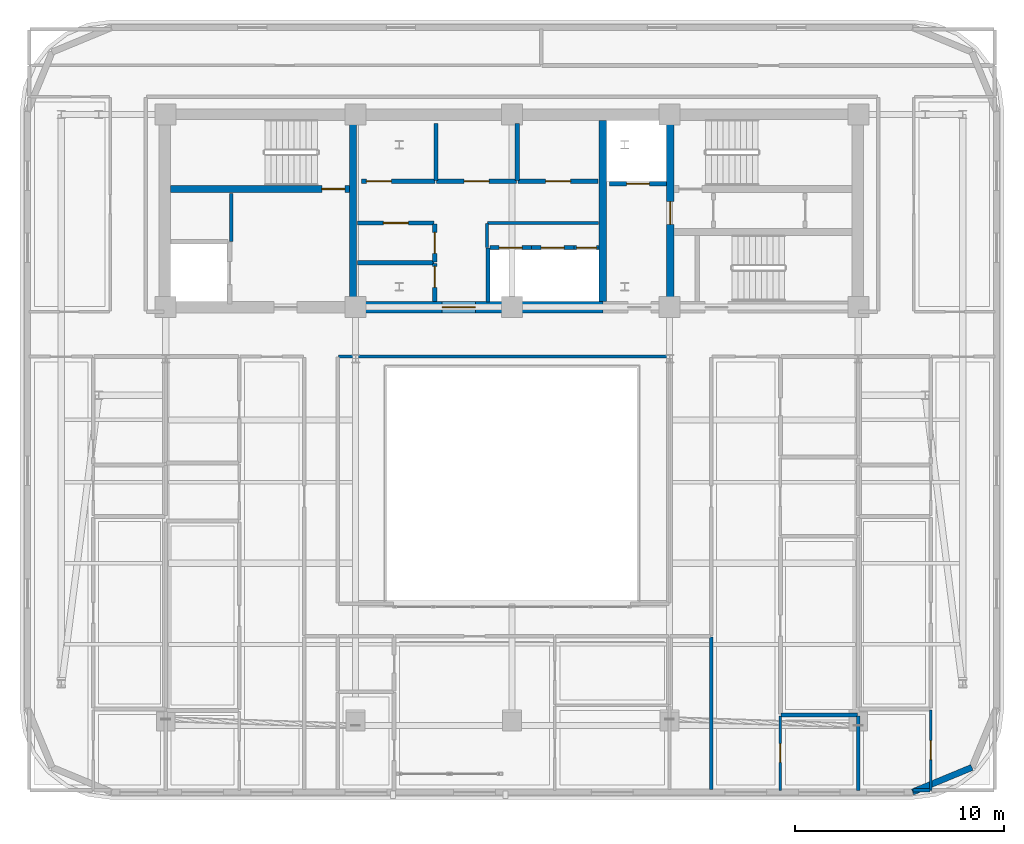
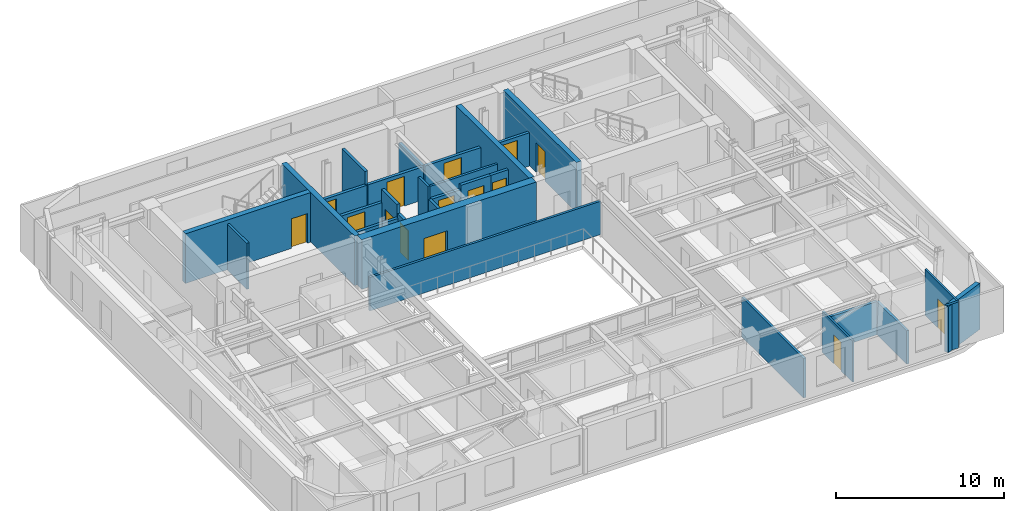
# One storey, part 8 of 15: 30 walls, 15 doors, 15 openings.
"""IFC4 building model written with IfcOpenShell, lengths in metres."""

from ifc_helpers import new_model, si_unit, direction, frame, frame_2d, origin, place, context, subcontext, project, spatial, rectangle, extrude, material, layer, layer_set, type_object, element, fill, save


model = new_model("IFC4")

# Units and contexts
model_context = context("Model", 3, precision=1e-05, world=origin(), true_north=direction((0.0, 1.0)))
body_context = subcontext(model_context, "Body", "Model", "MODEL_VIEW")
ifc_project = project(units=[si_unit("LENGTHUNIT", "METRE"), si_unit("AREAUNIT", "SQUARE_METRE"), si_unit("VOLUMEUNIT", "CUBIC_METRE"), si_unit("PLANEANGLEUNIT", "RADIAN"), si_unit("MASSUNIT", "GRAM", prefix="KILO")], contexts=[model_context])

# Site, building, storey
site_placement = place(None, origin())
site = spatial("IfcSite", under=ifc_project, at=site_placement, CompositionType="ELEMENT")
building_placement = place(site_placement, origin())
building = spatial("IfcBuilding", under=site, at=building_placement, Name="Zarnavel Station Tower", CompositionType="ELEMENT")
storey_placement = place(building_placement, frame((0.0, 0.0, 200.39990234375)))
storey = spatial("IfcBuildingStorey", under=building, at=storey_placement, Name="L54", CompositionType="ELEMENT", Elevation=200.39990234375)

# Walls
ifc_material_1 = material(Name="Concrete C50/60", Category="concrete")
ifc_layer_1 = layer(ifc_material_1, 0.35009765625)
ifc_layer_set_1 = layer_set([ifc_layer_1], Name="CW_350")
wall_type_1 = type_object("IfcWallType", Name="CW_350", PredefinedType="SHEAR", material=ifc_layer_set_1)
for number, where, z_axis, x_axis, name in (
    (1, (21.179931640625, 28.094970703125, 0.0), (0.0, 0.0, 1.0), (0.0, 1.0, 0.0), "L54 Rear Core Shear Wall DIV-W"),
    (2, (33.14990234375, 28.094970703125, 0.0), (0.0, 0.0, 1.0), (0.0, 1.0, 0.0), "L54 Rear Core Shear Wall DIV-E"),
):
    element("IfcWall", number, at=place(storey_placement, frame(where, z_axis=z_axis, x_axis=x_axis)), inside=storey, type_object=wall_type_1, Name=name, PredefinedType="SHEAR", context=body_context, shape_type="SweptSolid", body=[
        extrude(rectangle(XDim=8.679931640625, YDim=0.35009765625, at=frame_2d((4.33984375, 0.0))), origin(), (0.0, 0.0, 1.0), 3.60009765625),
    ])

# Wall, opening, door
wall_1_placement = place(storey_placement, frame((36.3798828125, 28.094970703125, 0.0), z_axis=(0.0, 0.0, 1.0), x_axis=(0.0, 1.0, 0.0)))
wall_1 = element("IfcWall", 3, at=wall_1_placement, inside=storey, type_object=wall_type_1, Name="L54 Rear Core Shear Wall DIV-S2", PredefinedType="SHEAR", context=body_context, shape_type="SweptSolid", body=[
    extrude(rectangle(XDim=8.679931640625, YDim=0.35009765625, at=frame_2d((4.33984375, 0.0))), origin(), (0.0, 0.0, 1.0), 3.60009765625),
])
opening_1_placement = place(wall_1_placement, frame((3.68505859375, 0.0, 0.0)))
opening_1 = element("IfcOpeningElement", 4, at=opening_1_placement, cuts=wall_1, Name="Opening FD01", PredefinedType="OPENING", context=body_context, shape_type="SweptSolid", body=[
    extrude(rectangle(XDim=1.10009765625, YDim=2.14990234375, at=frame_2d((0.550048828125, 1.074951171875))), frame((0.0, 0.18505859375, 0.0), z_axis=(0.0, -1.0, 0.0), x_axis=(1.0, 0.0, 0.0)), (0.0, 0.0, 1.0), 0.3701171875),
])
ifc_material_2 = material(Name="Painted Galvanised Steel and Hardwood Leaf", Category="steel")
door_type_1 = type_object("IfcDoorType", Name="ID_STAIR_1100", OperationType="NOTDEFINED", PredefinedType="DOOR", material=ifc_material_2)
door_1_placement = place(opening_1_placement, origin())
door_1 = element("IfcDoor", 5, at=door_1_placement, inside=storey, type_object=door_type_1, Name="L54 East Stair Vestibule Fire Door", OperationType="SINGLE_SWING_LEFT", OverallHeight=2.14990234375, OverallWidth=1.10009765625, PredefinedType="DOOR", context=body_context, shape_type="SweptSolid", body=[
    extrude(rectangle(XDim=1.10009765625, YDim=2.14990234375, at=frame_2d((0.550048828125, 1.074951171875))), frame((0.0, 0.02490234375, 0.0), z_axis=(0.0, -1.0, 0.0), x_axis=(1.0, 0.0, 0.0)), (0.0, 0.0, 1.0), 0.050048828125),
])
fill(opening_1, door_1)

wall_2_placement = place(storey_placement, frame((21.0048828125, 33.47998046875, 0.0), z_axis=(0.0, 0.0, 1.0), x_axis=(-1.0, 0.0, 0.0)))
wall_2 = element("IfcWall", 6, at=wall_2_placement, inside=storey, type_object=wall_type_1, Name="L54 Rear Core Shear Wall DIV-H1", PredefinedType="SHEAR", context=body_context, shape_type="SweptSolid", body=[
    extrude(rectangle(XDim=8.579833984375, YDim=0.35009765625, at=frame_2d((4.2900390625, 0.0))), origin(), (0.0, 0.0, 1.0), 3.60009765625),
])
opening_2_placement = place(wall_2_placement, frame((0.219970703125, 0.0, 0.0)))
opening_2 = element("IfcOpeningElement", 7, at=opening_2_placement, cuts=wall_2, Name="Opening FD01", PredefinedType="OPENING", context=body_context, shape_type="SweptSolid", body=[
    extrude(rectangle(XDim=1.10009765625, YDim=2.14990234375, at=frame_2d((0.550048828125, 1.074951171875))), frame((0.0, 0.18505859375, 0.0), z_axis=(0.0, -1.0, 0.0), x_axis=(1.0, 0.0, 0.0)), (0.0, 0.0, 1.0), 0.3701171875),
])
door_2_placement = place(opening_2_placement, origin())
door_2 = element("IfcDoor", 8, at=door_2_placement, inside=storey, type_object=door_type_1, Name="L54 Stair ST1 Lobby Fire Door", OperationType="SINGLE_SWING_LEFT", OverallHeight=2.14990234375, OverallWidth=1.10009765625, PredefinedType="DOOR", context=body_context, shape_type="SweptSolid", body=[
    extrude(rectangle(XDim=1.10009765625, YDim=2.14990234375, at=frame_2d((0.550048828125, 1.074951171875))), frame((0.0, 0.02490234375, 0.0), z_axis=(0.0, -1.0, 0.0), x_axis=(1.0, 0.0, 0.0)), (0.0, 0.0, 1.0), 0.050048828125),
])
fill(opening_2, door_2)

ifc_material_3 = material(Name="Concrete C50/60", Category="concrete")
ifc_layer_2 = layer(ifc_material_3, 0.550048828125)
ifc_layer_set_2 = layer_set([ifc_layer_2], Name="CW_550")
wall_type_2 = type_object("IfcWallType", Name="CW_550", PredefinedType="SHEAR", material=ifc_layer_set_2)
wall_3_placement = place(storey_placement, frame((33.14990234375, 27.820068359375, 0.0), z_axis=(0.0, 0.0, 1.0), x_axis=(-1.0, 0.0, 0.0)))
wall_3 = element("IfcWall", 9, at=wall_3_placement, inside=storey, type_object=wall_type_2, Name="L54 Rear Core Shear Wall S-M", PredefinedType="SHEAR", context=body_context, shape_type="SweptSolid", body=[
    extrude(rectangle(XDim=11.969970703125, YDim=0.550048828125, at=frame_2d((5.98486328125, 0.0))), origin(), (0.0, 0.0, 1.0), 3.60009765625),
])
opening_3_placement = place(wall_3_placement, frame((6.10009765625, 0.0, 0.0)))
opening_3 = element("IfcOpeningElement", 10, at=opening_3_placement, cuts=wall_3, Name="Opening ID03", PredefinedType="OPENING", context=body_context, shape_type="SweptSolid", body=[
    extrude(rectangle(XDim=1.60009765625, YDim=2.199951171875, at=frame_2d((0.800048828125, 1.10009765625))), frame((0.0, 0.284912109375, 0.0), z_axis=(0.0, -1.0, 0.0), x_axis=(1.0, 0.0, 0.0)), (0.0, 0.0, 1.0), 0.570068359375),
])
ifc_material_4 = material(Name="Painted Galvanised Steel and Hardwood Leaf", Category="steel")
door_type_2 = type_object("IfcDoorType", Name="ID_PUBLIC_1600", OperationType="DOUBLE_DOOR_SINGLE_SWING", PredefinedType="DOOR", material=ifc_material_4)
door_3_placement = place(opening_3_placement, origin())
door_3 = element("IfcDoor", 11, at=door_3_placement, inside=storey, type_object=door_type_2, Name="L54 Passenger Lift Lobby Double Door", OperationType="SINGLE_SWING_LEFT", OverallHeight=2.199951171875, OverallWidth=1.60009765625, PredefinedType="DOOR", context=body_context, shape_type="SweptSolid", body=[
    extrude(rectangle(XDim=1.60009765625, YDim=2.199951171875, at=frame_2d((0.800048828125, 1.10009765625))), frame((0.0, 0.02490234375, 0.0), z_axis=(0.0, -1.0, 0.0), x_axis=(1.0, 0.0, 0.0)), (0.0, 0.0, 1.0), 0.050048828125),
])
fill(opening_3, door_3)

# Walls
ifc_material_5 = material(Name="Precast concrete C45/55 (Dark Basalt Finish)", Category="masonry")
ifc_layer_3 = layer(ifc_material_5, 0.300048828125)
ifc_layer_set_3 = layer_set([ifc_layer_3], Name="EW_BASALT_300")
wall_type_3 = type_object("IfcWallType", Name="EW_BASALT_300", PredefinedType="SOLIDWALL", material=ifc_layer_set_3)
wall_4_placement = place(storey_placement, frame((50.842529296875, 5.75732421875, 0.0), z_axis=(0.0, 0.0, 1.0), x_axis=(-0.92389884758, -0.382636798336, 0.0)))
element("IfcWall", 12, at=wall_4_placement, inside=storey, type_object=wall_type_3, Name="L54 Exterior Basalt Masonry Frame Wall 01", PredefinedType="SOLIDWALL", context=body_context, shape_type="SweptSolid", body=[
    extrude(rectangle(XDim=3.07666015625, YDim=0.300048828125, at=frame_2d((1.538330078125, 0.0))), origin(), (0.0, 0.0, 1.0), 3.340087890625),
])
ifc_material_6 = material(Name="Gypsum Twin-Stud Acoustic Fire Partition", Category="concrete")
ifc_layer_4 = layer(ifc_material_6, 0.159912109375)
ifc_layer_set_4 = layer_set([ifc_layer_4], Name="PT_DEMISE_160")
wall_type_4 = type_object("IfcWallType", Name="PT_DEMISE_160", PredefinedType="PARTITIONING", material=ifc_layer_set_4)
wall_5_placement = place(storey_placement, frame((45.39990234375, 4.659912109375, 0.0), z_axis=(0.0, 0.0, 1.0), x_axis=(0.0, 1.0, 0.0)))
element("IfcWall", 13, at=wall_5_placement, inside=storey, type_object=wall_type_4, Name="L54 Partition UE1B1-UE2B1", PredefinedType="PARTITIONING", context=body_context, shape_type="SweptSolid", body=[
    extrude(rectangle(XDim=3.572998046875, YDim=0.159912109375, at=frame_2d((1.78662109375, 0.0))), origin(), (0.0, 0.0, 1.0), 2.420166015625),
])
wall_6_placement = place(storey_placement, frame((15.35009765625, 30.9599609375, 0.0), z_axis=(0.0, 0.0, 1.0), x_axis=(0.0, 1.0, 0.0)))
element("IfcWall", 14, at=wall_6_placement, inside=storey, type_object=wall_type_4, Name="L54 Enclosure Wall FFL1", PredefinedType="PARTITIONING", context=body_context, shape_type="SweptSolid", body=[
    extrude(rectangle(XDim=2.31005859375, YDim=0.159912109375, at=frame_2d((1.155029296875, 0.0))), origin(), (0.0, 0.0, 1.0), 3.340087890625),
])
wall_7_placement = place(storey_placement, frame((27.6298828125, 31.85009765625, 0.0), z_axis=(0.0, 0.0, 1.0), x_axis=(1.0, 0.0, 0.0)))
element("IfcWall", 15, at=wall_7_placement, inside=storey, type_object=wall_type_4, Name="L54 Enclosure Wall LLOB", PredefinedType="PARTITIONING", context=body_context, shape_type="SweptSolid", body=[
    extrude(rectangle(XDim=5.31005859375, YDim=0.159912109375, at=frame_2d((2.655029296875, 0.0))), origin(), (0.0, 0.0, 1.0), 2.41015625),
])
wall_8_placement = place(storey_placement, frame((27.60009765625, 30.679931640625, 0.0), z_axis=(0.0, 0.0, 1.0), x_axis=(0.0, 1.0, 0.0)))
element("IfcWall", 16, at=wall_8_placement, inside=storey, type_object=wall_type_4, Name="L54 Enclosure Wall LLOBS", PredefinedType="PARTITIONING", context=body_context, shape_type="SweptSolid", body=[
    extrude(rectangle(XDim=1.14013671875, YDim=0.159912109375, at=frame_2d((0.570068359375, 0.0))), origin(), (0.0, 0.0, 1.0), 3.340087890625),
])
wall_9_placement = place(storey_placement, frame((20.47998046875, 25.449951171875, 0.0), z_axis=(0.0, 0.0, 1.0), x_axis=(1.0, 0.0, 0.0)))
element("IfcWall", 17, at=wall_9_placement, inside=storey, type_object=wall_type_4, Name="L54 Enclosure Wall COR-S", PredefinedType="PARTITIONING", context=body_context, shape_type="SweptSolid", body=[
    extrude(rectangle(XDim=15.840087890625, YDim=0.159912109375, at=frame_2d((7.919921875, 0.0))), origin(), (0.0, 0.0, 1.0), 2.420166015625),
])
wall_10_placement = place(storey_placement, frame((38.35009765625, 4.68994140625, 0.0), z_axis=(0.0, 0.0, 1.0), x_axis=(0.0, 1.0, 0.0)))
element("IfcWall", 18, at=wall_10_placement, inside=storey, type_object=wall_type_4, Name="L54 Enclosure Wall UE1LV", PredefinedType="PARTITIONING", context=body_context, shape_type="SweptSolid", body=[
    extrude(rectangle(XDim=7.330078125, YDim=0.159912109375, at=frame_2d((3.6650390625, 0.0))), origin(), (0.0, 0.0, 1.0), 2.8701171875),
])
wall_11_placement = place(storey_placement, frame((48.030029296875, 4.659912109375, 0.0), z_axis=(0.0, 0.0, 1.0), x_axis=(1.0, 0.0, 0.0)))
element("IfcWall", 19, at=wall_11_placement, inside=storey, type_object=wall_type_4, Name="L54 Enclosure Wall UE2B1", PredefinedType="PARTITIONING", context=body_context, shape_type="SweptSolid", body=[
    extrude(rectangle(XDim=0.805908203125, YDim=0.159912109375, at=frame_2d((0.40283203125, 0.0))), origin(), (0.0, 0.0, 1.0), 3.340087890625),
])

# Wall, opening, door
ifc_material_7 = material(Name="Gypsum Metal-Stud Interior Partition", Category="concrete")
ifc_layer_5 = layer(ifc_material_7, 0.1201171875)
ifc_layer_set_5 = layer_set([ifc_layer_5], Name="PT_ROOM_120")
wall_type_5 = type_object("IfcWallType", Name="PT_ROOM_120", PredefinedType="PARTITIONING", material=ifc_layer_set_5)
wall_12_placement = place(storey_placement, frame((41.6630859375, 4.659912109375, 0.0), z_axis=(0.0, 0.0, 1.0), x_axis=(0.0, 1.0, 0.0)))
wall_12 = element("IfcWall", 20, at=wall_12_placement, inside=storey, type_object=wall_type_5, Name="L54 Partition UE1LV-UE1B1", PredefinedType="PARTITIONING", context=body_context, shape_type="SweptSolid", body=[
    extrude(rectangle(XDim=3.572998046875, YDim=0.1201171875, at=frame_2d((1.78662109375, 0.0))), origin(), (0.0, 0.0, 1.0), 3.0),
])
opening_4_placement = place(wall_12_placement, frame((1.33642578125, 0.0, 0.0)))
opening_4 = element("IfcOpeningElement", 21, at=opening_4_placement, cuts=wall_12, Name="Opening ID01", PredefinedType="OPENING", context=body_context, shape_type="SweptSolid", body=[
    extrude(rectangle(XDim=0.89990234375, YDim=2.10009765625, at=frame_2d((0.449951171875, 1.050048828125))), frame((0.0, 0.070068359375, 0.0), z_axis=(0.0, -1.0, 0.0), x_axis=(1.0, 0.0, 0.0)), (0.0, 0.0, 1.0), 0.14013671875),
])
ifc_material_8 = material(Name="Painted Galvanised Steel and Hardwood Leaf", Category="steel")
door_type_3 = type_object("IfcDoorType", Name="ID_ROOM_900", OperationType="NOTDEFINED", PredefinedType="DOOR", material=ifc_material_8)
door_4_placement = place(opening_4_placement, origin())
door_4 = element("IfcDoor", 22, at=door_4_placement, inside=storey, type_object=door_type_3, Name="L54 Door UE1LV-UE1B1", OperationType="SINGLE_SWING_RIGHT", OverallHeight=2.10009765625, OverallWidth=0.89990234375, PredefinedType="DOOR", context=body_context, shape_type="SweptSolid", body=[
    extrude(rectangle(XDim=0.89990234375, YDim=2.10009765625, at=frame_2d((0.449951171875, 1.050048828125))), frame((0.0, 0.02490234375, 0.0), z_axis=(0.0, -1.0, 0.0), x_axis=(1.0, 0.0, 0.0)), (0.0, 0.0, 1.0), 0.050048828125),
])
fill(opening_4, door_4)

wall_13_placement = place(storey_placement, frame((48.865966796875, 4.659912109375, 0.0), z_axis=(0.0, 0.0, 1.0), x_axis=(0.0, 1.0, 0.0)))
wall_13 = element("IfcWall", 23, at=wall_13_placement, inside=storey, type_object=wall_type_5, Name="L54 Partition UE2LV-UE2B1", PredefinedType="PARTITIONING", context=body_context, shape_type="SweptSolid", body=[
    extrude(rectangle(XDim=3.85498046875, YDim=0.1201171875, at=frame_2d((1.927490234375, 0.0))), origin(), (0.0, 0.0, 1.0), 3.340087890625),
])
opening_5_placement = place(wall_13_placement, frame((1.4775390625, 0.0, 0.0)))
opening_5 = element("IfcOpeningElement", 24, at=opening_5_placement, cuts=wall_13, Name="Opening ID01", PredefinedType="OPENING", context=body_context, shape_type="SweptSolid", body=[
    extrude(rectangle(XDim=0.89990234375, YDim=2.10009765625, at=frame_2d((0.449951171875, 1.050048828125))), frame((0.0, 0.070068359375, 0.0), z_axis=(0.0, -1.0, 0.0), x_axis=(1.0, 0.0, 0.0)), (0.0, 0.0, 1.0), 0.14013671875),
])
door_5_placement = place(opening_5_placement, origin())
door_5 = element("IfcDoor", 25, at=door_5_placement, inside=storey, type_object=door_type_3, Name="L54 Door UE2LV-UE2B1", OperationType="SINGLE_SWING_RIGHT", OverallHeight=2.10009765625, OverallWidth=0.89990234375, PredefinedType="DOOR", context=body_context, shape_type="SweptSolid", body=[
    extrude(rectangle(XDim=0.89990234375, YDim=2.10009765625, at=frame_2d((0.449951171875, 1.050048828125))), frame((0.0, 0.02490234375, 0.0), z_axis=(0.0, -1.0, 0.0), x_axis=(1.0, 0.0, 0.0)), (0.0, 0.0, 1.0), 0.050048828125),
])
fill(opening_5, door_5)

ifc_material_9 = material(Name="Precast concrete C45/55 (Fire Shaft Blockwork)", Category="masonry")
ifc_layer_6 = layer(ifc_material_9, 0.199951171875)
ifc_layer_set_6 = layer_set([ifc_layer_6], Name="PT_SHAFT_200")
wall_type_6 = type_object("IfcWallType", Name="PT_SHAFT_200", PredefinedType="PARTITIONING", material=ifc_layer_set_6)
wall_14_placement = place(storey_placement, frame((33.47509765625, 33.72998046875, 0.0), z_axis=(0.0, 0.0, 1.0), x_axis=(1.0, 0.0, 0.0)))
wall_14 = element("IfcWall", 26, at=wall_14_placement, inside=storey, type_object=wall_type_6, Name="L54 Lift FFL-02 Shaft Front Wall", PredefinedType="PARTITIONING", context=body_context, shape_type="SweptSolid", body=[
    extrude(rectangle(XDim=2.724853515625, YDim=0.199951171875, at=frame_2d((1.3623046875, 0.0))), origin(), (0.0, 0.0, 1.0), 2.41015625),
])
opening_6_placement = place(wall_14_placement, frame((0.8125, 0.0, 0.0)))
opening_6 = element("IfcOpeningElement", 27, at=opening_6_placement, cuts=wall_14, Name="Opening LD01", PredefinedType="OPENING", context=body_context, shape_type="SweptSolid", body=[
    extrude(rectangle(XDim=1.10009765625, YDim=2.14990234375, at=frame_2d((0.550048828125, 1.074951171875))), frame((0.0, 0.10986328125, 0.0), z_axis=(0.0, -1.0, 0.0), x_axis=(1.0, 0.0, 0.0)), (0.0, 0.0, 1.0), 0.219970703125),
])
ifc_material_10 = material(Name="Painted Galvanised Steel and Hardwood Leaf", Category="steel")
door_type_4 = type_object("IfcDoorType", Name="LD_FF_1100", OperationType="DOUBLE_DOOR_SLIDING", PredefinedType="DOOR", material=ifc_material_10)
door_6_placement = place(opening_6_placement, origin())
door_6 = element("IfcDoor", 28, at=door_6_placement, inside=storey, type_object=door_type_4, Name="L54 Lift FFL-02 Sliding Landing Door", OperationType="DOUBLE_DOOR_SLIDING", OverallHeight=2.14990234375, OverallWidth=1.10009765625, PredefinedType="DOOR", context=body_context, shape_type="SweptSolid", body=[
    extrude(rectangle(XDim=1.10009765625, YDim=2.14990234375, at=frame_2d((0.550048828125, 1.074951171875))), frame((0.0, 0.02490234375, 0.0), z_axis=(0.0, -1.0, 0.0), x_axis=(1.0, 0.0, 0.0)), (0.0, 0.0, 1.0), 0.050048828125),
])
fill(opening_6, door_6)

wall_15_placement = place(storey_placement, frame((27.75, 30.669921875, 0.0), z_axis=(0.0, 0.0, 1.0), x_axis=(1.0, 0.0, 0.0)))
wall_15 = element("IfcWall", 29, at=wall_15_placement, inside=storey, type_object=wall_type_6, Name="L54 Lift PL-H1 Shaft Front Wall", PredefinedType="PARTITIONING", context=body_context, shape_type="SweptSolid", body=[
    extrude(rectangle(XDim=1.97509765625, YDim=0.199951171875, at=frame_2d((0.987548828125, 0.0))), origin(), (0.0, 0.0, 1.0), 2.41015625),
])
opening_7_placement = place(wall_15_placement, frame((0.4375, 0.0, 0.0)))
opening_7 = element("IfcOpeningElement", 30, at=opening_7_placement, cuts=wall_15, Name="Opening LD02", PredefinedType="OPENING", context=body_context, shape_type="SweptSolid", body=[
    extrude(rectangle(XDim=1.10009765625, YDim=2.14990234375, at=frame_2d((0.550048828125, 1.074951171875))), frame((0.0, 0.10986328125, 0.0), z_axis=(0.0, -1.0, 0.0), x_axis=(1.0, 0.0, 0.0)), (0.0, 0.0, 1.0), 0.219970703125),
])
ifc_material_11 = material(Name="Painted Galvanised Steel and Hardwood Leaf", Category="steel")
door_type_5 = type_object("IfcDoorType", Name="LD_PAX_1100", OperationType="DOUBLE_DOOR_SLIDING", PredefinedType="DOOR", material=ifc_material_11)
door_7_placement = place(opening_7_placement, origin())
door_7 = element("IfcDoor", 31, at=door_7_placement, inside=storey, type_object=door_type_5, Name="L54 Lift PL-H1 Sliding Landing Door", OperationType="DOUBLE_DOOR_SLIDING", OverallHeight=2.14990234375, OverallWidth=1.10009765625, PredefinedType="DOOR", context=body_context, shape_type="SweptSolid", body=[
    extrude(rectangle(XDim=1.10009765625, YDim=2.14990234375, at=frame_2d((0.550048828125, 1.074951171875))), frame((0.0, 0.02490234375, 0.0), z_axis=(0.0, -1.0, 0.0), x_axis=(1.0, 0.0, 0.0)), (0.0, 0.0, 1.0), 0.050048828125),
])
fill(opening_7, door_7)

# Wall
wall_16_placement = place(storey_placement, frame((27.64990234375, 28.070068359375, 0.0), z_axis=(0.0, 0.0, 1.0), x_axis=(0.0, 1.0, 0.0)))
element("IfcWall", 32, at=wall_16_placement, inside=storey, type_object=wall_type_6, Name="L54 High-Rise Lift Bank West Shaft Wall", PredefinedType="PARTITIONING", context=body_context, shape_type="SweptSolid", body=[
    extrude(rectangle(XDim=2.579833984375, YDim=0.199951171875, at=frame_2d((1.2900390625, 0.0))), origin(), (0.0, 0.0, 1.0), 2.41015625),
])

# Wall, opening, door
wall_17_placement = place(storey_placement, frame((29.72509765625, 30.669921875, 0.0), z_axis=(0.0, 0.0, 1.0), x_axis=(1.0, 0.0, 0.0)))
wall_17 = element("IfcWall", 33, at=wall_17_placement, inside=storey, type_object=wall_type_6, Name="L54 Lift PL-H2 Shaft Front Wall", PredefinedType="PARTITIONING", context=body_context, shape_type="SweptSolid", body=[
    extrude(rectangle(XDim=2.0498046875, YDim=0.199951171875, at=frame_2d((1.02490234375, 0.0))), origin(), (0.0, 0.0, 1.0), 2.72021484375),
])
opening_8_placement = place(wall_17_placement, frame((0.47509765625, 0.0, 0.0)))
opening_8 = element("IfcOpeningElement", 34, at=opening_8_placement, cuts=wall_17, Name="Opening LD02", PredefinedType="OPENING", context=body_context, shape_type="SweptSolid", body=[
    extrude(rectangle(XDim=1.10009765625, YDim=2.14990234375, at=frame_2d((0.550048828125, 1.074951171875))), frame((0.0, 0.10986328125, 0.0), z_axis=(0.0, -1.0, 0.0), x_axis=(1.0, 0.0, 0.0)), (0.0, 0.0, 1.0), 0.219970703125),
])
door_8_placement = place(opening_8_placement, origin())
door_8 = element("IfcDoor", 35, at=door_8_placement, inside=storey, type_object=door_type_5, Name="L54 Lift PL-H2 Sliding Landing Door", OperationType="DOUBLE_DOOR_SLIDING", OverallHeight=2.14990234375, OverallWidth=1.10009765625, PredefinedType="DOOR", context=body_context, shape_type="SweptSolid", body=[
    extrude(rectangle(XDim=1.10009765625, YDim=2.14990234375, at=frame_2d((0.550048828125, 1.074951171875))), frame((0.0, 0.02490234375, 0.0), z_axis=(0.0, -1.0, 0.0), x_axis=(1.0, 0.0, 0.0)), (0.0, 0.0, 1.0), 0.050048828125),
])
fill(opening_8, door_8)

wall_18_placement = place(storey_placement, frame((31.77490234375, 30.669921875, 0.0), z_axis=(0.0, 0.0, 1.0), x_axis=(1.0, 0.0, 0.0)))
wall_18 = element("IfcWall", 36, at=wall_18_placement, inside=storey, type_object=wall_type_6, Name="L54 Lift PL-H3 Shaft Front Wall", PredefinedType="PARTITIONING", context=body_context, shape_type="SweptSolid", body=[
    extrude(rectangle(XDim=1.2001953125, YDim=0.199951171875, at=frame_2d((0.60009765625, 0.0))), origin(), (0.0, 0.0, 1.0), 2.72021484375),
])
opening_9_placement = place(wall_18_placement, frame((0.125, 0.0, 0.0)))
opening_9 = element("IfcOpeningElement", 37, at=opening_9_placement, cuts=wall_18, Name="Opening LD03", PredefinedType="OPENING", context=body_context, shape_type="SweptSolid", body=[
    extrude(rectangle(XDim=0.949951171875, YDim=2.14990234375, at=frame_2d((0.47509765625, 1.074951171875))), frame((0.0, 0.10986328125, 0.0), z_axis=(0.0, -1.0, 0.0), x_axis=(1.0, 0.0, 0.0)), (0.0, 0.0, 1.0), 0.219970703125),
])
ifc_material_12 = material(Name="Painted Galvanised Steel and Hardwood Leaf", Category="steel")
door_type_6 = type_object("IfcDoorType", Name="LD_PAX_0950", OperationType="DOUBLE_DOOR_SLIDING", PredefinedType="DOOR", material=ifc_material_12)
door_9_placement = place(opening_9_placement, origin())
door_9 = element("IfcDoor", 38, at=door_9_placement, inside=storey, type_object=door_type_6, Name="L54 Lift PL-H3 Sliding Landing Door", OperationType="DOUBLE_DOOR_SLIDING", OverallHeight=2.14990234375, OverallWidth=0.949951171875, PredefinedType="DOOR", context=body_context, shape_type="SweptSolid", body=[
    extrude(rectangle(XDim=0.949951171875, YDim=2.14990234375, at=frame_2d((0.47509765625, 1.074951171875))), frame((0.0, 0.02490234375, 0.0), z_axis=(0.0, -1.0, 0.0), x_axis=(1.0, 0.0, 0.0)), (0.0, 0.0, 1.0), 0.050048828125),
])
fill(opening_9, door_9)

wall_19_placement = place(storey_placement, frame((21.39990234375, 31.85009765625, 0.0), z_axis=(0.0, 0.0, 1.0), x_axis=(1.0, 0.0, 0.0)))
wall_19 = element("IfcWall", 39, at=wall_19_placement, inside=storey, type_object=wall_type_6, Name="L54 Partition LLOB-CS2", PredefinedType="PARTITIONING", context=body_context, shape_type="SweptSolid", body=[
    extrude(rectangle(XDim=3.66015625, YDim=0.199951171875, at=frame_2d((1.830078125, 0.0))), origin(), (0.0, 0.0, 1.0), 2.41015625),
])
opening_10_placement = place(wall_19_placement, frame((1.22998046875, 0.0, 0.0)))
opening_10 = element("IfcOpeningElement", 40, at=opening_10_placement, cuts=wall_19, Name="Opening FD03", PredefinedType="OPENING", context=body_context, shape_type="SweptSolid", body=[
    extrude(rectangle(XDim=1.199951171875, YDim=2.14990234375, at=frame_2d((0.60009765625, 1.074951171875))), frame((0.0, 0.10986328125, 0.0), z_axis=(0.0, -1.0, 0.0), x_axis=(1.0, 0.0, 0.0)), (0.0, 0.0, 1.0), 0.219970703125),
])
ifc_material_13 = material(Name="Painted Galvanised Steel and Hardwood Leaf", Category="steel")
door_type_7 = type_object("IfcDoorType", Name="ID_PLANT_1200", OperationType="NOTDEFINED", PredefinedType="DOOR", material=ifc_material_13)
door_10_placement = place(opening_10_placement, origin())
door_10 = element("IfcDoor", 41, at=door_10_placement, inside=storey, type_object=door_type_7, Name="L54 Door LLOB-CS2", OperationType="SINGLE_SWING_LEFT", OverallHeight=2.14990234375, OverallWidth=1.199951171875, PredefinedType="DOOR", context=body_context, shape_type="SweptSolid", body=[
    extrude(rectangle(XDim=1.199951171875, YDim=2.14990234375, at=frame_2d((0.60009765625, 1.074951171875))), frame((0.0, 0.02490234375, 0.0), z_axis=(0.0, -1.0, 0.0), x_axis=(1.0, 0.0, 0.0)), (0.0, 0.0, 1.0), 0.050048828125),
])
fill(opening_10, door_10)

wall_20_placement = place(storey_placement, frame((25.110107421875, 33.85009765625, 0.0), z_axis=(0.0, 0.0, 1.0), x_axis=(-1.0, 0.0, 0.0)))
wall_20 = element("IfcWall", 42, at=wall_20_placement, inside=storey, type_object=wall_type_6, Name="L54 Partition LLOB-FB2A", PredefinedType="PARTITIONING", context=body_context, shape_type="SweptSolid", body=[
    extrude(rectangle(XDim=3.52001953125, YDim=0.199951171875, at=frame_2d((1.760009765625, 0.0))), origin(), (0.0, 0.0, 1.0), 2.41015625),
])
opening_11_placement = place(wall_20_placement, frame((2.094970703125, 0.0, 0.0)))
opening_11 = element("IfcOpeningElement", 43, at=opening_11_placement, cuts=wall_20, Name="Opening FD03", PredefinedType="OPENING", context=body_context, shape_type="SweptSolid", body=[
    extrude(rectangle(XDim=1.199951171875, YDim=2.14990234375, at=frame_2d((0.60009765625, 1.074951171875))), frame((0.0, 0.10986328125, 0.0), z_axis=(0.0, -1.0, 0.0), x_axis=(1.0, 0.0, 0.0)), (0.0, 0.0, 1.0), 0.219970703125),
])
door_11_placement = place(opening_11_placement, origin())
door_11 = element("IfcDoor", 44, at=door_11_placement, inside=storey, type_object=door_type_7, Name="L54 Door LLOB-FB2A", OperationType="SINGLE_SWING_RIGHT", OverallHeight=2.14990234375, OverallWidth=1.199951171875, PredefinedType="DOOR", context=body_context, shape_type="SweptSolid", body=[
    extrude(rectangle(XDim=1.199951171875, YDim=2.14990234375, at=frame_2d((0.60009765625, 1.074951171875))), frame((0.0, 0.02490234375, 0.0), z_axis=(0.0, -1.0, 0.0), x_axis=(1.0, 0.0, 0.0)), (0.0, 0.0, 1.0), 0.050048828125),
])
fill(opening_11, door_11)

wall_21_placement = place(storey_placement, frame((25.18994140625, 33.85009765625, 0.0), z_axis=(0.0, 0.0, 1.0), x_axis=(1.0, 0.0, 0.0)))
wall_21 = element("IfcWall", 45, at=wall_21_placement, inside=storey, type_object=wall_type_6, Name="L54 Partition LLOB-FB2B", PredefinedType="PARTITIONING", context=body_context, shape_type="SweptSolid", body=[
    extrude(rectangle(XDim=3.820068359375, YDim=0.199951171875, at=frame_2d((1.91015625, 0.0))), origin(), (0.0, 0.0, 1.0), 2.41015625),
])
opening_12_placement = place(wall_21_placement, frame((1.31005859375, 0.0, 0.0)))
opening_12 = element("IfcOpeningElement", 46, at=opening_12_placement, cuts=wall_21, Name="Opening FD03", PredefinedType="OPENING", context=body_context, shape_type="SweptSolid", body=[
    extrude(rectangle(XDim=1.199951171875, YDim=2.14990234375, at=frame_2d((0.60009765625, 1.074951171875))), frame((0.0, 0.10986328125, 0.0), z_axis=(0.0, -1.0, 0.0), x_axis=(1.0, 0.0, 0.0)), (0.0, 0.0, 1.0), 0.219970703125),
])
door_12_placement = place(opening_12_placement, origin())
door_12 = element("IfcDoor", 47, at=door_12_placement, inside=storey, type_object=door_type_7, Name="L54 Door LLOB-FB2B", OperationType="SINGLE_SWING_LEFT", OverallHeight=2.14990234375, OverallWidth=1.199951171875, PredefinedType="DOOR", context=body_context, shape_type="SweptSolid", body=[
    extrude(rectangle(XDim=1.199951171875, YDim=2.14990234375, at=frame_2d((0.60009765625, 1.074951171875))), frame((0.0, 0.02490234375, 0.0), z_axis=(0.0, -1.0, 0.0), x_axis=(1.0, 0.0, 0.0)), (0.0, 0.0, 1.0), 0.050048828125),
])
fill(opening_12, door_12)

wall_22_placement = place(storey_placement, frame((29.090087890625, 33.85009765625, 0.0), z_axis=(0.0, 0.0, 1.0), x_axis=(1.0, 0.0, 0.0)))
wall_22 = element("IfcWall", 48, at=wall_22_placement, inside=storey, type_object=wall_type_6, Name="L54 Partition LLOB-FB2C", PredefinedType="PARTITIONING", context=body_context, shape_type="SweptSolid", body=[
    extrude(rectangle(XDim=3.83984375, YDim=0.199951171875, at=frame_2d((1.919921875, 0.0))), origin(), (0.0, 0.0, 1.0), 2.41015625),
])
opening_13_placement = place(wall_22_placement, frame((1.320068359375, 0.0, 0.0)))
opening_13 = element("IfcOpeningElement", 49, at=opening_13_placement, cuts=wall_22, Name="Opening FD03", PredefinedType="OPENING", context=body_context, shape_type="SweptSolid", body=[
    extrude(rectangle(XDim=1.199951171875, YDim=2.14990234375, at=frame_2d((0.60009765625, 1.074951171875))), frame((0.0, 0.10986328125, 0.0), z_axis=(0.0, -1.0, 0.0), x_axis=(1.0, 0.0, 0.0)), (0.0, 0.0, 1.0), 0.219970703125),
])
door_13_placement = place(opening_13_placement, origin())
door_13 = element("IfcDoor", 50, at=door_13_placement, inside=storey, type_object=door_type_7, Name="L54 Door LLOB-FB2C", OperationType="SINGLE_SWING_RIGHT", OverallHeight=2.14990234375, OverallWidth=1.199951171875, PredefinedType="DOOR", context=body_context, shape_type="SweptSolid", body=[
    extrude(rectangle(XDim=1.199951171875, YDim=2.14990234375, at=frame_2d((0.60009765625, 1.074951171875))), frame((0.0, 0.02490234375, 0.0), z_axis=(0.0, -1.0, 0.0), x_axis=(1.0, 0.0, 0.0)), (0.0, 0.0, 1.0), 0.050048828125),
])
fill(opening_13, door_13)

wall_23_placement = place(storey_placement, frame((25.10009765625, 28.090087890625, 0.0), z_axis=(0.0, 0.0, 1.0), x_axis=(0.0, 1.0, 0.0)))
wall_23 = element("IfcWall", 51, at=wall_23_placement, inside=storey, type_object=wall_type_6, Name="L54 Partition LLOBS-CS1", PredefinedType="PARTITIONING", context=body_context, shape_type="SweptSolid", body=[
    extrude(rectangle(XDim=1.81982421875, YDim=0.199951171875, at=frame_2d((0.909912109375, 0.0))), origin(), (0.0, 0.0, 1.0), 2.72021484375),
])
opening_14_placement = place(wall_23_placement, frame((0.679931640625, 0.0, 0.0)))
opening_14 = element("IfcOpeningElement", 52, at=opening_14_placement, cuts=wall_23, Name="Opening FD02", PredefinedType="OPENING", context=body_context, shape_type="SweptSolid", body=[
    extrude(rectangle(XDim=1.0, YDim=2.14990234375, at=frame_2d((0.5, 1.074951171875))), frame((0.0, 0.10986328125, 0.0), z_axis=(0.0, -1.0, 0.0), x_axis=(1.0, 0.0, 0.0)), (0.0, 0.0, 1.0), 0.219970703125),
])
ifc_material_14 = material(Name="Painted Galvanised Steel and Hardwood Leaf", Category="steel")
door_type_8 = type_object("IfcDoorType", Name="ID_ENTRY_1000", OperationType="NOTDEFINED", PredefinedType="DOOR", material=ifc_material_14)
door_14_placement = place(opening_14_placement, origin())
door_14 = element("IfcDoor", 53, at=door_14_placement, inside=storey, type_object=door_type_8, Name="L54 Door LLOBS-CS1", OperationType="SINGLE_SWING_LEFT", OverallHeight=2.14990234375, OverallWidth=1.0, PredefinedType="DOOR", context=body_context, shape_type="SweptSolid", body=[
    extrude(rectangle(XDim=1.0, YDim=2.14990234375, at=frame_2d((0.5, 1.074951171875))), frame((0.0, 0.02490234375, 0.0), z_axis=(0.0, -1.0, 0.0), x_axis=(1.0, 0.0, 0.0)), (0.0, 0.0, 1.0), 0.050048828125),
])
fill(opening_14, door_14)

wall_24_placement = place(storey_placement, frame((25.10009765625, 29.989990234375, 0.0), z_axis=(0.0, 0.0, 1.0), x_axis=(0.0, 1.0, 0.0)))
wall_24 = element("IfcWall", 54, at=wall_24_placement, inside=storey, type_object=wall_type_6, Name="L54 Partition LLOBS-CS2", PredefinedType="PARTITIONING", context=body_context, shape_type="SweptSolid", body=[
    extrude(rectangle(XDim=1.820068359375, YDim=0.199951171875, at=frame_2d((0.91015625, 0.0))), origin(), (0.0, 0.0, 1.0), 3.340087890625),
])
opening_15_placement = place(wall_24_placement, frame((0.409912109375, 0.0, 0.0)))
opening_15 = element("IfcOpeningElement", 55, at=opening_15_placement, cuts=wall_24, Name="Opening FD02", PredefinedType="OPENING", context=body_context, shape_type="SweptSolid", body=[
    extrude(rectangle(XDim=1.0, YDim=2.14990234375, at=frame_2d((0.5, 1.074951171875))), frame((0.0, 0.10986328125, 0.0), z_axis=(0.0, -1.0, 0.0), x_axis=(1.0, 0.0, 0.0)), (0.0, 0.0, 1.0), 0.219970703125),
])
door_15_placement = place(opening_15_placement, origin())
door_15 = element("IfcDoor", 56, at=door_15_placement, inside=storey, type_object=door_type_8, Name="L54 Door LLOBS-CS2", OperationType="SINGLE_SWING_RIGHT", OverallHeight=2.14990234375, OverallWidth=1.0, PredefinedType="DOOR", context=body_context, shape_type="SweptSolid", body=[
    extrude(rectangle(XDim=1.0, YDim=2.14990234375, at=frame_2d((0.5, 1.074951171875))), frame((0.0, 0.02490234375, 0.0), z_axis=(0.0, -1.0, 0.0), x_axis=(1.0, 0.0, 0.0)), (0.0, 0.0, 1.0), 0.050048828125),
])
fill(opening_15, door_15)

# Walls
wall_25_placement = place(storey_placement, frame((21.39990234375, 29.949951171875, 0.0), z_axis=(0.0, 0.0, 1.0), x_axis=(1.0, 0.0, 0.0)))
element("IfcWall", 57, at=wall_25_placement, inside=storey, type_object=wall_type_6, Name="L54 Partition CS1-CS2", PredefinedType="PARTITIONING", context=body_context, shape_type="SweptSolid", body=[
    extrude(rectangle(XDim=3.66015625, YDim=0.199951171875, at=frame_2d((1.830078125, 0.0))), origin(), (0.0, 0.0, 1.0), 2.41015625),
])
wall_26_placement = place(storey_placement, frame((25.14990234375, 33.889892578125, 0.0), z_axis=(0.0, 0.0, 1.0), x_axis=(0.0, 1.0, 0.0)))
element("IfcWall", 58, at=wall_26_placement, inside=storey, type_object=wall_type_6, Name="L54 Partition FB2A-FB2B", PredefinedType="PARTITIONING", context=body_context, shape_type="SweptSolid", body=[
    extrude(rectangle(XDim=2.72021484375, YDim=0.199951171875, at=frame_2d((1.360107421875, 0.0))), origin(), (0.0, 0.0, 1.0), 3.340087890625),
])
wall_27_placement = place(storey_placement, frame((29.050048828125, 33.889892578125, 0.0), z_axis=(0.0, 0.0, 1.0), x_axis=(0.0, 1.0, 0.0)))
element("IfcWall", 59, at=wall_27_placement, inside=storey, type_object=wall_type_6, Name="L54 Partition FB2B-FB2C", PredefinedType="PARTITIONING", context=body_context, shape_type="SweptSolid", body=[
    extrude(rectangle(XDim=2.72021484375, YDim=0.199951171875, at=frame_2d((1.360107421875, 0.0))), origin(), (0.0, 0.0, 1.0), 2.41015625),
])
ifc_material_15 = material(Name="Moisture-Resistant Plumbing Chase Wall", Category="concrete")
ifc_layer_7 = layer(ifc_material_15, 0.179931640625)
ifc_layer_set_7 = layer_set([ifc_layer_7], Name="PW_PLUMB_180")
wall_type_7 = type_object("IfcWallType", Name="PW_PLUMB_180", PredefinedType="PLUMBINGWALL", material=ifc_layer_set_7)
wall_28_placement = place(storey_placement, frame((41.702880859375, 8.27294921875, 0.0), z_axis=(0.0, 0.0, 1.0), x_axis=(1.0, 0.0, 0.0)))
element("IfcWall", 60, at=wall_28_placement, inside=storey, type_object=wall_type_7, Name="L54 Partition UE1B1-UE1KT", PredefinedType="PLUMBINGWALL", context=body_context, shape_type="SweptSolid", body=[
    extrude(rectangle(XDim=3.6572265625, YDim=0.179931640625, at=frame_2d((1.82861328125, 0.0))), origin(), (0.0, 0.0, 1.0), 2.420166015625),
])

save(model, "model.ifc")
